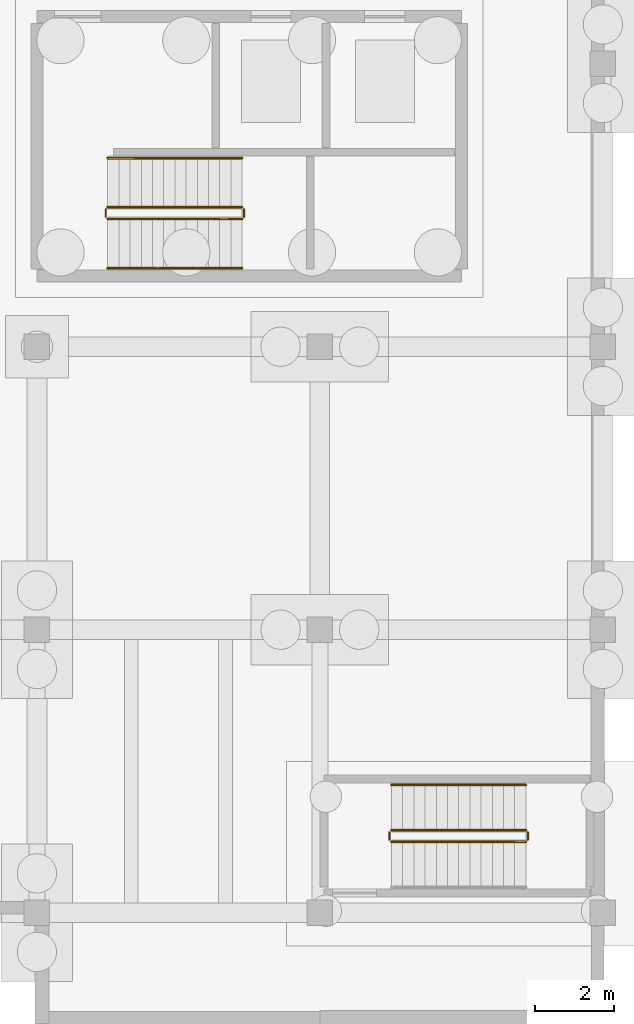
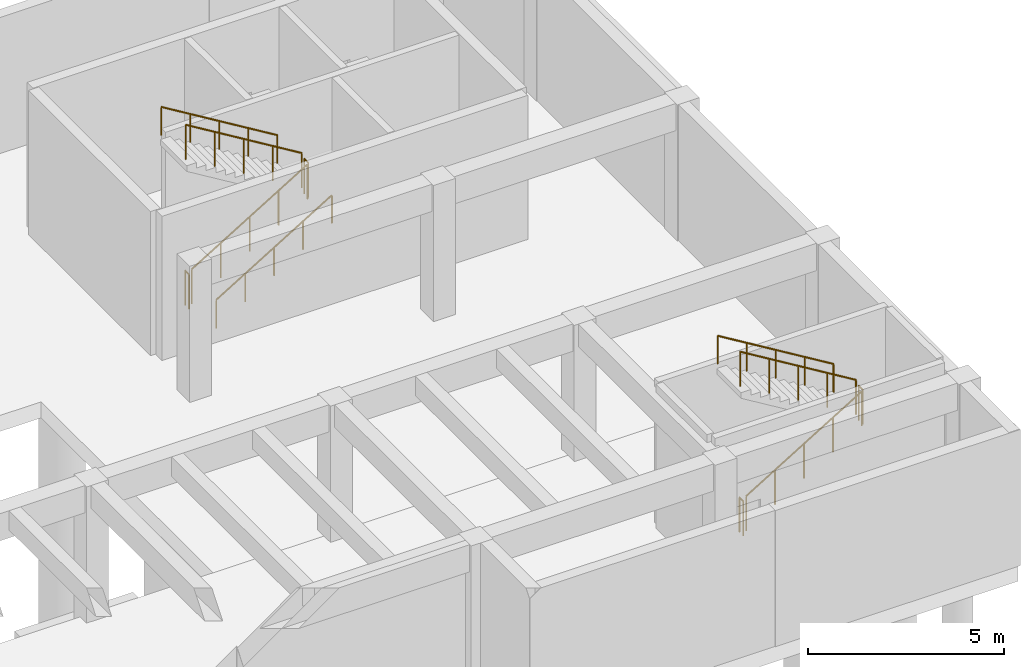
# One storey, part 26 of 28: 11 railings.
"""IFC4 building model written with IfcOpenShell, lengths in metres."""

import ifcopenshell
import ifcopenshell.guid

model = None  # the IFC model being written
_history = None  # IfcOwnerHistory: only IFC2X3 demands one
_inside = {}  # id of a spatial element -> (the spatial element, [elements in it])
_under = {}  # id of a project, library or spatial element -> (it, [spatial elements below it])
_declared = {}  # id of a project -> (the project, [libraries it declares])
_typed = {}  # id of a type object -> (the type object, [elements of that type])
_made_of = {}  # id of a material, layer set ... -> (it, [elements and type objects made of it])


def new_model(schema):
    """Start an empty IFC model of exactly this schema.

    Asked for "IFC4X3", IfcOpenShell would pick the latest addendum, in which some entities
    have other attributes; the version numbers below select the first issue.
    IFC2X3 requires an IfcOwnerHistory on every rooted entity: one is made here for all.
    """
    global model, _history
    if schema == "IFC4X3":
        model = ifcopenshell.file(schema_version=(4, 3, 0, 0))
    else:
        model = ifcopenshell.file(schema=schema)
    _inside.clear()
    _under.clear()
    _declared.clear()
    _typed.clear()
    _made_of.clear()
    _history = None
    if model.schema == "IFC2X3":
        org = make("IfcOrganization", Name="unknown")
        user = make(
            "IfcPersonAndOrganization",
            ThePerson=make("IfcPerson", FamilyName="unknown"),
            TheOrganization=org,
        )
        app = make(
            "IfcApplication",
            ApplicationDeveloper=org,
            Version="unknown",
            ApplicationFullName="unknown",
            ApplicationIdentifier="unknown",
        )
        _history = make(
            "IfcOwnerHistory",
            OwningUser=user,
            OwningApplication=app,
            ChangeAction="ADDED",
            CreationDate=0,
        )
    return model


def make(cls, **values):
    """One entity of the class cls with the attributes given. An attribute that is None is left unset."""
    return model.create_entity(
        cls, **{name: value for name, value in values.items() if value is not None}
    )


def rooted(cls, **values):
    """An entity with a GlobalId (a new one), such as an element, a storey or a relation."""
    return make(cls, GlobalId=ifcopenshell.guid.new(), OwnerHistory=_history, **values)


def si_unit(unit_type, name, prefix=None):
    """IfcSIUnit, for example si_unit("LENGTHUNIT", "METRE", prefix="MILLI")."""
    return make("IfcSIUnit", UnitType=unit_type, Prefix=prefix, Name=name)


def assignment(units):
    """IfcUnitAssignment: the units of a project."""
    return None if units is None else make("IfcUnitAssignment", Units=units)


def point(xyz):
    """IfcCartesianPoint."""
    return None if xyz is None else make("IfcCartesianPoint", Coordinates=xyz)


def direction(xyz):
    """IfcDirection."""
    return None if xyz is None else make("IfcDirection", DirectionRatios=xyz)


def frame(location, z_axis=None, x_axis=None):
    """IfcAxis2Placement3D, a coordinate frame: its origin and axes. An axis left out is left unset."""
    return make(
        "IfcAxis2Placement3D",
        Location=point(location),
        Axis=direction(z_axis),
        RefDirection=direction(x_axis),
    )


def frame_2d(location, x_axis=None):
    """IfcAxis2Placement2D, a coordinate frame in the plane: its origin and x axis."""
    return make(
        "IfcAxis2Placement2D", Location=point(location), RefDirection=direction(x_axis)
    )


def origin():
    """The frame at (0, 0, 0) with its axes left unset."""
    return frame((0.0, 0.0, 0.0))


def origin_2d():
    """The frame at (0, 0) in the plane with its x axis left unset."""
    return frame_2d((0.0, 0.0))


def place(relative_to, where):
    """IfcLocalPlacement: puts the frame where relative to a parent placement (None: the world)."""
    return make(
        "IfcLocalPlacement", PlacementRelTo=relative_to, RelativePlacement=where
    )


def context(
    kind, dimensions, precision=None, world=None, true_north=None, identifier=None
):
    """IfcGeometricRepresentationContext, for example the 3D "Model" context."""
    return make(
        "IfcGeometricRepresentationContext",
        ContextIdentifier=identifier,
        ContextType=kind,
        CoordinateSpaceDimension=dimensions,
        Precision=precision,
        WorldCoordinateSystem=world,
        TrueNorth=true_north,
    )


def subcontext(parent, identifier, kind, view, scale=None):
    """IfcGeometricRepresentationSubContext, for example "Body" below "Model"."""
    return make(
        "IfcGeometricRepresentationSubContext",
        ContextIdentifier=identifier,
        ContextType=kind,
        ParentContext=parent,
        TargetScale=scale,
        TargetView=view,
    )


def project(units=None, contexts=None):
    """IfcProject with its units and contexts."""
    return rooted(
        "IfcProject",
        Name="project",
        RepresentationContexts=contexts,
        UnitsInContext=assignment(units),
    )


def spatial(cls, under=None, at=None, **own):
    """A site, building, storey or space (cls), placed at a placement, below another one or the project."""
    s = rooted(cls, ObjectPlacement=at, **own)
    if under is not None:
        _under.setdefault(under.id(), (under, []))[1].append(s)
    return s


def profile(cls, at=None, kind="AREA", **sizes):
    """A parametric profile (cls). Its sizes go by their IFC names, for example OverallWidth=200.0."""
    return make(cls, ProfileType=kind, Position=at, **sizes)


def circle(**sizes):
    """IfcCircleProfileDef."""
    return profile("IfcCircleProfileDef", **sizes)


def extrude(swept, where, along, depth):
    """IfcExtrudedAreaSolid: the profile swept, set in the frame where, extruded along a direction by depth."""
    return make(
        "IfcExtrudedAreaSolid",
        SweptArea=swept,
        Position=where,
        ExtrudedDirection=direction(along),
        Depth=depth,
    )


def shape(context_of_items, identifier, shape_type, items):
    """IfcShapeRepresentation: the items that make up one representation, for example the "Body"."""
    return make(
        "IfcShapeRepresentation",
        ContextOfItems=context_of_items,
        RepresentationIdentifier=identifier,
        RepresentationType=shape_type,
        Items=items,
    )


def material(Name=None, Category=None):
    """IfcMaterial."""
    return make("IfcMaterial", Name=Name, Category=Category)


def made_of(thing, what):
    """Note that an element or type object is made of a material, layer set ...; save() writes the relation."""
    if what is not None:
        _made_of.setdefault(what.id(), (what, []))[1].append(thing)
    return thing


def type_object(cls, material=None, **own):
    """A type object (cls), such as IfcWallType, which elements share."""
    return made_of(rooted(cls, **own), material)


def element(
    cls,
    number,
    at=None,
    inside=None,
    cuts=None,
    type_object=None,
    material=None,
    context=None,
    identifier="Body",
    shape_type=None,
    held_by="IfcProductDefinitionShape",
    body=None,
    shapes=None,
    **own,
):
    """One element of the class cls, such as IfcWall. Its Tag is "e" and its number.

    at: its placement. inside: the storey or other place that contains it. cuts: it is an
    opening in that element (IfcRelVoidsElement). A single representation is given by context,
    identifier, shape_type and body (its items); several are given by shapes. held_by: the class
    of the entity that holds the representations. save() writes the other relations.
    """
    e = rooted(cls, Tag="e%d" % number, ObjectPlacement=at, **own)
    if body is not None:
        shapes = [shape(context, identifier, shape_type, body)]
    if shapes is not None:
        e.Representation = make(held_by, Representations=shapes)
    if inside is not None:
        _inside.setdefault(inside.id(), (inside, []))[1].append(e)
    if cuts is not None:
        rooted(
            "IfcRelVoidsElement", RelatingBuildingElement=cuts, RelatedOpeningElement=e
        )
    if type_object is not None:
        _typed.setdefault(type_object.id(), (type_object, []))[1].append(e)
    return made_of(e, material)


def aggregate(whole, parts):
    """IfcRelAggregates: a whole, such as a stair, and the parts it consists of."""
    return rooted("IfcRelAggregates", RelatingObject=whole, RelatedObjects=parts)


def save(model, path):
    """Write the relations noted so far, then the file.

    IfcRelAggregates (storeys below a building ...), IfcRelContainedInSpatialStructure (elements
    in a storey), IfcRelDefinesByType, IfcRelAssociatesMaterial and IfcRelDeclares: one each for
    every whole, place, type object, material and project.
    """
    for whole, parts in _under.values():
        aggregate(whole, parts)
    for where, things in _inside.values():
        rooted(
            "IfcRelContainedInSpatialStructure",
            RelatedElements=things,
            RelatingStructure=where,
        )
    for kind, things in _typed.values():
        rooted("IfcRelDefinesByType", RelatedObjects=things, RelatingType=kind)
    for what, things in _made_of.values():
        rooted("IfcRelAssociatesMaterial", RelatedObjects=things, RelatingMaterial=what)
    for by, libraries in _declared.values():
        rooted("IfcRelDeclares", RelatingContext=by, RelatedDefinitions=libraries)
    model.write(path)


model = new_model("IFC4")

# Units and contexts
model_context = context("Model", 3, precision=1e-05, world=origin(), true_north=direction((0.0, 1.0)))
body_context = subcontext(model_context, "Body", "Model", "MODEL_VIEW")
ifc_project = project(units=[si_unit("LENGTHUNIT", "METRE"), si_unit("AREAUNIT", "SQUARE_METRE"), si_unit("VOLUMEUNIT", "CUBIC_METRE"), si_unit("PLANEANGLEUNIT", "RADIAN"), si_unit("MASSUNIT", "GRAM", prefix="KILO")], contexts=[model_context])

# Site, building, storey
site_placement = place(None, origin())
site = spatial("IfcSite", under=ifc_project, at=site_placement, CompositionType="ELEMENT")
building_placement = place(site_placement, origin())
building = spatial("IfcBuilding", under=site, at=building_placement, Name="Bramvelor Terrace Health Centre", CompositionType="ELEMENT")
storey_placement = place(building_placement, frame((0.0, 0.0, -4.5)))
storey = spatial("IfcBuildingStorey", under=building, at=storey_placement, Name="B1", CompositionType="ELEMENT", Elevation=-4.5)

# Railings
ifc_material_1 = material(Name="Painted galvanized steel", Category="steel")
railing_type_1 = type_object("IfcRailingType", Name="RLG-GD-1100", PredefinedType="GUARDRAIL", material=ifc_material_1)
railing_1_placement = place(storey_placement, frame((81.0, 89.64990234375, 0.173095703125)))
element("IfcRailing", 1, at=railing_1_placement, inside=storey, type_object=railing_type_1, Name="B1 ST-4 stair guard 1", PredefinedType="GUARDRAIL", context=body_context, shape_type="SweptSolid", body=[
    extrude(circle(Radius=0.02392578125, at=origin_2d()), frame((0.0, 0.0, 1.076171875), z_axis=(0.854729506542, 0.0, 0.519073665916), x_axis=(0.0, 1.0, 0.0)), (0.0, 0.0, 1.0), 4.001220703125),
    extrude(circle(Radius=0.02099609375, at=origin_2d()), origin(), (0.0, 0.0, 1.0), 1.052001953125),
    extrude(circle(Radius=0.02099609375, at=origin_2d()), frame((0.85498046875, 0.0, 0.519287109375)), (0.0, 0.0, 1.0), 1.052001953125),
    extrude(circle(Radius=0.02099609375, at=origin_2d()), frame((1.7099609375, 0.0, 1.03857421875)), (0.0, 0.0, 1.0), 1.052001953125),
    extrude(circle(Radius=0.02099609375, at=origin_2d()), frame((2.56494140625, 0.0, 1.5576171875)), (0.0, 0.0, 1.0), 1.052001953125),
    extrude(circle(Radius=0.02099609375, at=origin_2d()), frame((3.419921875, 0.0, 2.076904296875)), (0.0, 0.0, 1.0), 1.052001953125),
])
railing_2_placement = place(storey_placement, frame((84.469970703125, 89.699951171875, 2.25)))
element("IfcRailing", 2, at=railing_2_placement, inside=storey, type_object=railing_type_1, Name="B1 ST-4 stair guard 2", PredefinedType="GUARDRAIL", context=body_context, shape_type="SweptSolid", body=[
    extrude(circle(Radius=0.02392578125, at=origin_2d()), frame((0.0, 0.0, 1.076171875), z_axis=(0.0, 1.0, 0.0), x_axis=(-1.0, 0.0, 0.0)), (0.0, 0.0, 1.0), 0.199951171875),
    extrude(circle(Radius=0.02099609375, at=origin_2d()), origin(), (0.0, 0.0, 1.0), 1.052001953125),
    extrude(circle(Radius=0.02099609375, at=origin_2d()), frame((0.0, 0.199951171875, 0.0)), (0.0, 0.0, 1.0), 1.052001953125),
])
railing_3_placement = place(storey_placement, frame((84.419921875, 89.949951171875, 2.423095703125)))
element("IfcRailing", 3, at=railing_3_placement, inside=storey, type_object=railing_type_1, Name="B1 ST-4 stair guard 3", PredefinedType="GUARDRAIL", context=body_context, shape_type="SweptSolid", body=[
    extrude(circle(Radius=0.02392578125, at=origin_2d()), frame((0.0, 0.0, 1.076171875), z_axis=(-0.854729506542, 0.0, 0.519073665916), x_axis=(0.0, -1.0, 0.0)), (0.0, 0.0, 1.0), 4.001220703125),
    extrude(circle(Radius=0.02099609375, at=origin_2d()), origin(), (0.0, 0.0, 1.0), 1.052001953125),
    extrude(circle(Radius=0.02099609375, at=origin_2d()), frame((-0.85498046875, 0.0, 0.519287109375)), (0.0, 0.0, 1.0), 1.052001953125),
    extrude(circle(Radius=0.02099609375, at=origin_2d()), frame((-1.7099609375, 0.0, 1.03857421875)), (0.0, 0.0, 1.0), 1.052001953125),
    extrude(circle(Radius=0.02099609375, at=origin_2d()), frame((-2.56494140625, 0.0, 1.5576171875)), (0.0, 0.0, 1.0), 1.052001953125),
    extrude(circle(Radius=0.02099609375, at=origin_2d()), frame((-3.419921875, 0.0, 2.076904296875)), (0.0, 0.0, 1.0), 1.052001953125),
])
railing_4_placement = place(storey_placement, frame((80.949951171875, 89.699951171875, 0.0)))
element("IfcRailing", 4, at=railing_4_placement, inside=storey, type_object=railing_type_1, Name="B1 ST-4 stair guard 4", PredefinedType="GUARDRAIL", context=body_context, shape_type="SweptSolid", body=[
    extrude(circle(Radius=0.02392578125, at=origin_2d()), frame((0.0, 0.0, 1.076171875), z_axis=(0.0, 1.0, 0.0), x_axis=(-1.0, 0.0, 0.0)), (0.0, 0.0, 1.0), 0.199951171875),
    extrude(circle(Radius=0.02099609375, at=origin_2d()), origin(), (0.0, 0.0, 1.0), 1.052001953125),
    extrude(circle(Radius=0.02099609375, at=origin_2d()), frame((0.0, 0.199951171875, 0.0)), (0.0, 0.0, 1.0), 1.052001953125),
])
railing_5_placement = place(storey_placement, frame((88.219970703125, 73.800048828125, 0.173095703125)))
element("IfcRailing", 5, at=railing_5_placement, inside=storey, type_object=railing_type_1, Name="B1 ST-8 stair guard 1", PredefinedType="GUARDRAIL", context=body_context, shape_type="SweptSolid", body=[
    extrude(circle(Radius=0.02392578125, at=origin_2d()), frame((0.0, 0.0, 1.076171875), z_axis=(0.854729506542, 0.0, 0.519073665916), x_axis=(0.0, 1.0, 0.0)), (0.0, 0.0, 1.0), 4.001220703125),
    extrude(circle(Radius=0.02099609375, at=origin_2d()), origin(), (0.0, 0.0, 1.0), 1.052001953125),
    extrude(circle(Radius=0.02099609375, at=origin_2d()), frame((0.85498046875, 0.0, 0.519287109375)), (0.0, 0.0, 1.0), 1.052001953125),
    extrude(circle(Radius=0.02099609375, at=origin_2d()), frame((1.7099609375, 0.0, 1.03857421875)), (0.0, 0.0, 1.0), 1.052001953125),
    extrude(circle(Radius=0.02099609375, at=origin_2d()), frame((2.56494140625, 0.0, 1.5576171875)), (0.0, 0.0, 1.0), 1.052001953125),
    extrude(circle(Radius=0.02099609375, at=origin_2d()), frame((3.419921875, 0.0, 2.076904296875)), (0.0, 0.0, 1.0), 1.052001953125),
])
railing_6_placement = place(storey_placement, frame((91.68994140625, 73.85009765625, 2.25)))
element("IfcRailing", 6, at=railing_6_placement, inside=storey, type_object=railing_type_1, Name="B1 ST-8 stair guard 2", PredefinedType="GUARDRAIL", context=body_context, shape_type="SweptSolid", body=[
    extrude(circle(Radius=0.02392578125, at=origin_2d()), frame((0.0, 0.0, 1.076171875), z_axis=(0.0, 1.0, 0.0), x_axis=(-1.0, 0.0, 0.0)), (0.0, 0.0, 1.0), 0.199951171875),
    extrude(circle(Radius=0.02099609375, at=origin_2d()), origin(), (0.0, 0.0, 1.0), 1.052001953125),
    extrude(circle(Radius=0.02099609375, at=origin_2d()), frame((0.0, 0.199951171875, 0.0)), (0.0, 0.0, 1.0), 1.052001953125),
])
railing_7_placement = place(storey_placement, frame((91.639892578125, 74.10009765625, 2.423095703125)))
element("IfcRailing", 7, at=railing_7_placement, inside=storey, type_object=railing_type_1, Name="B1 ST-8 stair guard 3", PredefinedType="GUARDRAIL", context=body_context, shape_type="SweptSolid", body=[
    extrude(circle(Radius=0.02392578125, at=origin_2d()), frame((0.0, 0.0, 1.076171875), z_axis=(-0.854729506542, 0.0, 0.519073665916), x_axis=(0.0, -1.0, 0.0)), (0.0, 0.0, 1.0), 4.001220703125),
    extrude(circle(Radius=0.02099609375, at=origin_2d()), origin(), (0.0, 0.0, 1.0), 1.052001953125),
    extrude(circle(Radius=0.02099609375, at=origin_2d()), frame((-0.85498046875, 0.0, 0.519287109375)), (0.0, 0.0, 1.0), 1.052001953125),
    extrude(circle(Radius=0.02099609375, at=origin_2d()), frame((-1.7099609375, 0.0, 1.03857421875)), (0.0, 0.0, 1.0), 1.052001953125),
    extrude(circle(Radius=0.02099609375, at=origin_2d()), frame((-2.56494140625, 0.0, 1.5576171875)), (0.0, 0.0, 1.0), 1.052001953125),
    extrude(circle(Radius=0.02099609375, at=origin_2d()), frame((-3.419921875, 0.0, 2.076904296875)), (0.0, 0.0, 1.0), 1.052001953125),
])
railing_8_placement = place(storey_placement, frame((88.169921875, 73.85009765625, 0.0)))
element("IfcRailing", 8, at=railing_8_placement, inside=storey, type_object=railing_type_1, Name="B1 ST-8 stair guard 4", PredefinedType="GUARDRAIL", context=body_context, shape_type="SweptSolid", body=[
    extrude(circle(Radius=0.02392578125, at=origin_2d()), frame((0.0, 0.0, 1.076171875), z_axis=(0.0, 1.0, 0.0), x_axis=(-1.0, 0.0, 0.0)), (0.0, 0.0, 1.0), 0.199951171875),
    extrude(circle(Radius=0.02099609375, at=origin_2d()), origin(), (0.0, 0.0, 1.0), 1.052001953125),
    extrude(circle(Radius=0.02099609375, at=origin_2d()), frame((0.0, 0.199951171875, 0.0)), (0.0, 0.0, 1.0), 1.052001953125),
])
ifc_material_2 = material(Name="Brushed stainless steel 316", Category="steel")
railing_type_2 = type_object("IfcRailingType", Name="RLG-HR-900", PredefinedType="HANDRAIL", material=ifc_material_2)
railing_9_placement = place(storey_placement, frame((81.0, 88.39990234375, 0.173095703125)))
element("IfcRailing", 9, at=railing_9_placement, inside=storey, type_object=railing_type_2, Name="B1 ST-4 stair handrail 1", PredefinedType="HANDRAIL", context=body_context, shape_type="SweptSolid", body=[
    extrude(circle(Radius=0.02392578125, at=origin_2d()), frame((0.0, 0.0, 0.8759765625), z_axis=(0.854729506542, 0.0, 0.519073665916), x_axis=(0.0, 1.0, 0.0)), (0.0, 0.0, 1.0), 4.001220703125),
    extrude(circle(Radius=0.02099609375, at=origin_2d()), origin(), (0.0, 0.0, 1.0), 0.851806640625),
    extrude(circle(Radius=0.02099609375, at=origin_2d()), frame((0.85498046875, 0.0, 0.519287109375)), (0.0, 0.0, 1.0), 0.851806640625),
    extrude(circle(Radius=0.02099609375, at=origin_2d()), frame((1.7099609375, 0.0, 1.03857421875)), (0.0, 0.0, 1.0), 0.851806640625),
    extrude(circle(Radius=0.02099609375, at=origin_2d()), frame((2.56494140625, 0.0, 1.5576171875)), (0.0, 0.0, 1.0), 0.851806640625),
    extrude(circle(Radius=0.02099609375, at=origin_2d()), frame((3.419921875, 0.0, 2.076904296875)), (0.0, 0.0, 1.0), 0.851806640625),
])
for number, where, name in (
    (10, (84.419921875, 91.199951171875, 2.423095703125), "B1 ST-4 stair handrail 2"),
    (11, (91.639892578125, 75.25, 2.423095703125), "B1 ST-8 stair handrail 2"),
):
    element("IfcRailing", number, at=place(storey_placement, frame(where)), inside=storey, type_object=railing_type_2, Name=name, PredefinedType="HANDRAIL", context=body_context, shape_type="SweptSolid", body=[
        extrude(circle(Radius=0.02392578125, at=origin_2d()), frame((0.0, 0.0, 0.8759765625), z_axis=(-0.854729506542, 0.0, 0.519073665916), x_axis=(0.0, -1.0, 0.0)), (0.0, 0.0, 1.0), 4.001220703125),
        extrude(circle(Radius=0.02099609375, at=origin_2d()), origin(), (0.0, 0.0, 1.0), 0.851806640625),
        extrude(circle(Radius=0.02099609375, at=origin_2d()), frame((-0.85498046875, 0.0, 0.519287109375)), (0.0, 0.0, 1.0), 0.851806640625),
        extrude(circle(Radius=0.02099609375, at=origin_2d()), frame((-1.7099609375, 0.0, 1.03857421875)), (0.0, 0.0, 1.0), 0.851806640625),
        extrude(circle(Radius=0.02099609375, at=origin_2d()), frame((-2.56494140625, 0.0, 1.5576171875)), (0.0, 0.0, 1.0), 0.851806640625),
        extrude(circle(Radius=0.02099609375, at=origin_2d()), frame((-3.419921875, 0.0, 2.076904296875)), (0.0, 0.0, 1.0), 0.851806640625),
    ])

save(model, "model.ifc")
